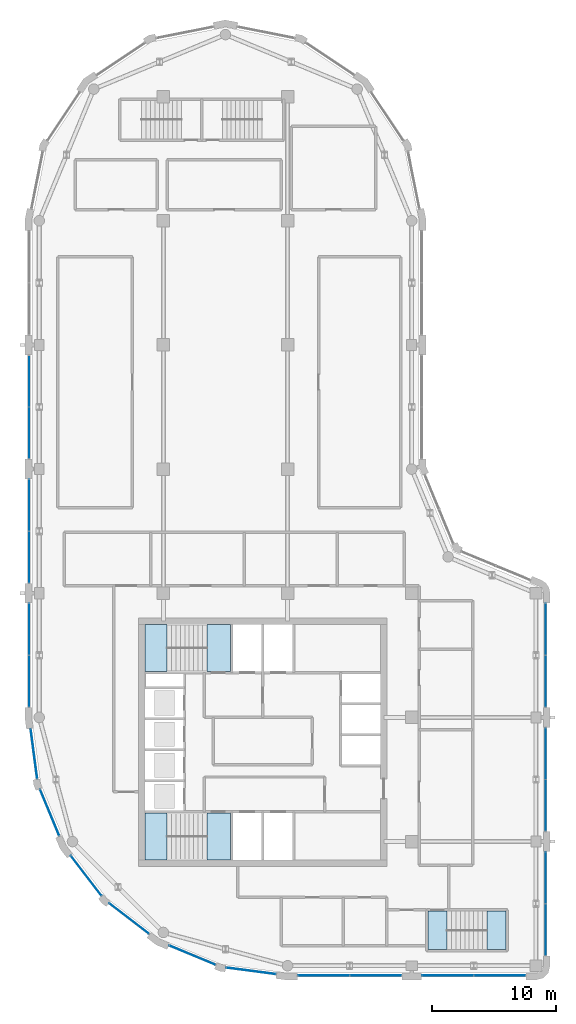
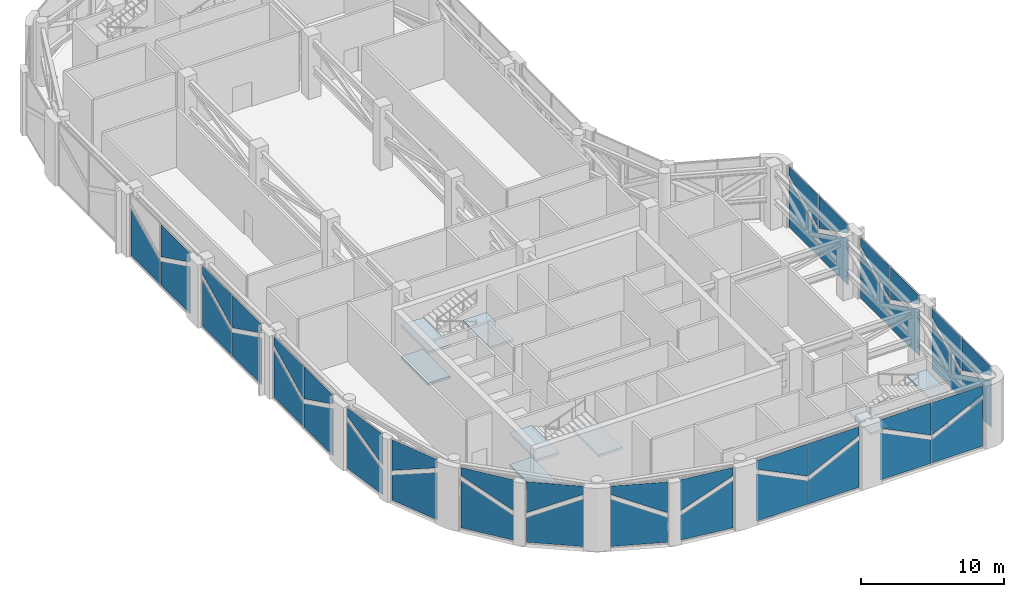
# One storey, part 11 of 18: 43 plates, 9 slabs, 31 elements without a shape of their own.
"""IFC4 building model written with IfcOpenShell, lengths in metres."""

from ifc_helpers import new_model, si_unit, direction, frame, origin, place, context, subcontext, project, spatial, polyline, outline, extrude, material, layer, layer_set, type_object, element, aggregate, save


model = new_model("IFC4")

# Units and contexts
model_context = context("Model", 3, precision=1e-05, world=origin(), true_north=direction((0.0, 1.0)))
body_context = subcontext(model_context, "Body", "Model", "MODEL_VIEW")
ifc_project = project(units=[si_unit("LENGTHUNIT", "METRE"), si_unit("AREAUNIT", "SQUARE_METRE"), si_unit("VOLUMEUNIT", "CUBIC_METRE"), si_unit("PLANEANGLEUNIT", "RADIAN"), si_unit("MASSUNIT", "GRAM", prefix="KILO")], contexts=[model_context])

# Site, building, storey
site_placement = place(None, origin())
site = spatial("IfcSite", under=ifc_project, at=site_placement, CompositionType="ELEMENT")
building_placement = place(site_placement, origin())
building = spatial("IfcBuilding", under=site, at=building_placement, Name="Qaws Garden Tower", CompositionType="ELEMENT")
storey_placement = place(building_placement, frame((0.0, 0.0, 352.800048828125)))
storey = spatial("IfcBuildingStorey", under=building, at=storey_placement, Name="L86", CompositionType="ELEMENT", Elevation=352.800048828125)

# Curtain wall, plate
ifc_material_1 = material(Name="Anodised aluminium curtain wall frame", Category="aluminium")
ifc_layer_1 = layer(ifc_material_1, 0.159912109375)
ifc_layer_set_1 = layer_set([ifc_layer_1], Name="Anodised aluminium curtain wall frame")
curtain_wall_type = type_object("IfcCurtainWallType", Name="CW6 plant floor louvre glazing curtain wall", PredefinedType="NOTDEFINED", material=ifc_layer_set_1)
placement_1 = place(storey_placement, origin())
curtain_wall_1 = element("IfcCurtainWall", 1, at=placement_1, inside=storey, type_object=curtain_wall_type, Name="CW6 Plant floor louvre glazing 00", PredefinedType="NOTDEFINED")
ifc_material_2 = material(Name="Clear laminated glass", Category="glass")
ifc_layer_2 = layer(ifc_material_2, 0.030029296875)
ifc_layer_set_2 = layer_set([ifc_layer_2], Name="Clear laminated glass")
plate_type = type_object("IfcPlateType", Name="CW6 glass panel 30", PredefinedType="CURTAIN_PANEL", material=ifc_layer_set_2)
placement_2 = place(storey_placement, frame((20.800048828125, -0.800048828125, 0.119873046875), z_axis=(0.0, 0.0, 1.0), x_axis=(1.0, 0.0, 0.0)))
plate_1 = element("IfcPlate", 2, at=placement_2, type_object=plate_type, Name="CW6 panel 1.1 part 1", PredefinedType="CURTAIN_PANEL", context=body_context, shape_type="SweptSolid", body=[
    extrude(outline(polyline([(4.169921875, 0.0), (4.169921875, 2.01025390625), (0.06005859375, 4.038818359375), (0.06005859375, 0.0), (4.169921875, 0.0)])), frame((0.0, 0.01513671875, 0.0), z_axis=(0.0, -1.0, 0.0), x_axis=(1.0, 0.0, 0.0)), (0.0, 0.0, 1.0), 0.030029296875),
])

curtain_wall_2 = element("IfcCurtainWall", 3, at=placement_1, inside=storey, type_object=curtain_wall_type, Name="CW6 Plant floor louvre glazing 00 upper field", PredefinedType="NOTDEFINED")
plate_2 = element("IfcPlate", 4, at=placement_2, type_object=plate_type, Name="CW6 panel 1.1 part 2", PredefinedType="CURTAIN_PANEL", context=body_context, shape_type="SweptSolid", body=[
    extrude(outline(polyline([(0.06005859375, 5.16015625), (0.06005859375, 4.440185546875), (4.169921875, 2.41162109375), (4.169921875, 5.16015625), (0.06005859375, 5.16015625)])), frame((0.0, 0.01513671875, 0.0), z_axis=(0.0, -1.0, 0.0), x_axis=(1.0, 0.0, 0.0)), (0.0, 0.0, 1.0), 0.030029296875),
])

# Plate
plate_3 = element("IfcPlate", 5, at=placement_2, type_object=plate_type, Name="CW6 panel 2.1 part 1", PredefinedType="CURTAIN_PANEL", context=body_context, shape_type="SweptSolid", body=[
    extrude(outline(polyline([(8.340087890625, 0.0), (8.340087890625, 4.038818359375), (4.22998046875, 2.01025390625), (4.22998046875, 0.0), (8.340087890625, 0.0)])), frame((0.0, 0.01513671875, 0.0), z_axis=(0.0, -1.0, 0.0), x_axis=(1.0, 0.0, 0.0)), (0.0, 0.0, 1.0), 0.030029296875),
])

aggregate(curtain_wall_1, [plate_1, plate_3])

plate_4 = element("IfcPlate", 6, at=placement_2, type_object=plate_type, Name="CW6 panel 2.1 part 2", PredefinedType="CURTAIN_PANEL", context=body_context, shape_type="SweptSolid", body=[
    extrude(outline(polyline([(4.22998046875, 5.16015625), (4.22998046875, 2.41162109375), (8.340087890625, 4.440185546875), (8.340087890625, 5.16015625), (4.22998046875, 5.16015625)])), frame((0.0, 0.01513671875, 0.0), z_axis=(0.0, -1.0, 0.0), x_axis=(1.0, 0.0, 0.0)), (0.0, 0.0, 1.0), 0.030029296875),
])

aggregate(curtain_wall_2, [plate_2, plate_4])

# Curtain wall, plate
curtain_wall_3 = element("IfcCurtainWall", 7, at=placement_1, inside=storey, type_object=curtain_wall_type, Name="CW6 Plant floor louvre glazing 01", PredefinedType="NOTDEFINED")
placement_3 = place(storey_placement, frame((30.800048828125, -0.800048828125, 0.119873046875), z_axis=(0.0, 0.0, 1.0), x_axis=(1.0, 0.0, 0.0)))
plate_5 = element("IfcPlate", 8, at=placement_3, type_object=plate_type, Name="CW6 panel 1.1 part 1", PredefinedType="CURTAIN_PANEL", context=body_context, shape_type="SweptSolid", body=[
    extrude(outline(polyline([(4.169921875, 0.0), (4.169921875, 2.01025390625), (0.06005859375, 4.038818359375), (0.06005859375, 0.0), (4.169921875, 0.0)])), frame((0.0, 0.01513671875, 0.0), z_axis=(0.0, -1.0, 0.0), x_axis=(1.0, 0.0, 0.0)), (0.0, 0.0, 1.0), 0.030029296875),
])

curtain_wall_4 = element("IfcCurtainWall", 9, at=placement_1, inside=storey, type_object=curtain_wall_type, Name="CW6 Plant floor louvre glazing 01 upper field", PredefinedType="NOTDEFINED")
plate_6 = element("IfcPlate", 10, at=placement_3, type_object=plate_type, Name="CW6 panel 1.1 part 2", PredefinedType="CURTAIN_PANEL", context=body_context, shape_type="SweptSolid", body=[
    extrude(outline(polyline([(0.06005859375, 5.16015625), (0.06005859375, 4.440185546875), (4.169921875, 2.41162109375), (4.169921875, 5.16015625), (0.06005859375, 5.16015625)])), frame((0.0, 0.01513671875, 0.0), z_axis=(0.0, -1.0, 0.0), x_axis=(1.0, 0.0, 0.0)), (0.0, 0.0, 1.0), 0.030029296875),
])

# Plate
plate_7 = element("IfcPlate", 11, at=placement_3, type_object=plate_type, Name="CW6 panel 2.1 part 1", PredefinedType="CURTAIN_PANEL", context=body_context, shape_type="SweptSolid", body=[
    extrude(outline(polyline([(8.340087890625, 0.0), (8.340087890625, 4.038818359375), (4.22998046875, 2.01025390625), (4.22998046875, 0.0), (8.340087890625, 0.0)])), frame((0.0, 0.01513671875, 0.0), z_axis=(0.0, -1.0, 0.0), x_axis=(1.0, 0.0, 0.0)), (0.0, 0.0, 1.0), 0.030029296875),
])

aggregate(curtain_wall_3, [plate_5, plate_7])

plate_8 = element("IfcPlate", 12, at=placement_3, type_object=plate_type, Name="CW6 panel 2.1 part 2", PredefinedType="CURTAIN_PANEL", context=body_context, shape_type="SweptSolid", body=[
    extrude(outline(polyline([(4.22998046875, 5.16015625), (4.22998046875, 2.41162109375), (8.340087890625, 4.440185546875), (8.340087890625, 5.16015625), (4.22998046875, 5.16015625)])), frame((0.0, 0.01513671875, 0.0), z_axis=(0.0, -1.0, 0.0), x_axis=(1.0, 0.0, 0.0)), (0.0, 0.0, 1.0), 0.030029296875),
])

aggregate(curtain_wall_4, [plate_6, plate_8])

# Curtain wall, plate
curtain_wall_5 = element("IfcCurtainWall", 13, at=placement_1, inside=storey, type_object=curtain_wall_type, Name="CW6 Plant floor louvre glazing 02", PredefinedType="NOTDEFINED")
placement_4 = place(storey_placement, frame((40.800048828125, 0.800048828125, 0.119873046875), z_axis=(0.0, 0.0, 1.0), x_axis=(0.0, 1.0, 0.0)))
plate_9 = element("IfcPlate", 14, at=placement_4, type_object=plate_type, Name="CW6 panel 1.1 part 1", PredefinedType="CURTAIN_PANEL", context=body_context, shape_type="SweptSolid", body=[
    extrude(outline(polyline([(4.169921875, 0.0), (4.169921875, 2.01025390625), (0.06005859375, 4.038818359375), (0.06005859375, 0.0), (4.169921875, 0.0)])), frame((0.0, 0.01513671875, 0.0), z_axis=(0.0, -1.0, 0.0), x_axis=(1.0, 0.0, 0.0)), (0.0, 0.0, 1.0), 0.030029296875),
])

curtain_wall_6 = element("IfcCurtainWall", 15, at=placement_1, inside=storey, type_object=curtain_wall_type, Name="CW6 Plant floor louvre glazing 02 upper field", PredefinedType="NOTDEFINED")
plate_10 = element("IfcPlate", 16, at=placement_4, type_object=plate_type, Name="CW6 panel 1.1 part 2", PredefinedType="CURTAIN_PANEL", context=body_context, shape_type="SweptSolid", body=[
    extrude(outline(polyline([(0.06005859375, 5.16015625), (0.06005859375, 4.440185546875), (4.169921875, 2.41162109375), (4.169921875, 5.16015625), (0.06005859375, 5.16015625)])), frame((0.0, 0.01513671875, 0.0), z_axis=(0.0, -1.0, 0.0), x_axis=(1.0, 0.0, 0.0)), (0.0, 0.0, 1.0), 0.030029296875),
])

# Plate
plate_11 = element("IfcPlate", 17, at=placement_4, type_object=plate_type, Name="CW6 panel 2.1 part 1", PredefinedType="CURTAIN_PANEL", context=body_context, shape_type="SweptSolid", body=[
    extrude(outline(polyline([(8.340087890625, 0.0), (8.340087890625, 4.038818359375), (4.22998046875, 2.01025390625), (4.22998046875, 0.0), (8.340087890625, 0.0)])), frame((0.0, 0.01513671875, 0.0), z_axis=(0.0, -1.0, 0.0), x_axis=(1.0, 0.0, 0.0)), (0.0, 0.0, 1.0), 0.030029296875),
])

aggregate(curtain_wall_5, [plate_9, plate_11])

plate_12 = element("IfcPlate", 18, at=placement_4, type_object=plate_type, Name="CW6 panel 2.1 part 2", PredefinedType="CURTAIN_PANEL", context=body_context, shape_type="SweptSolid", body=[
    extrude(outline(polyline([(4.22998046875, 5.16015625), (4.22998046875, 2.41162109375), (8.340087890625, 4.440185546875), (8.340087890625, 5.16015625), (4.22998046875, 5.16015625)])), frame((0.0, 0.01513671875, 0.0), z_axis=(0.0, -1.0, 0.0), x_axis=(1.0, 0.0, 0.0)), (0.0, 0.0, 1.0), 0.030029296875),
])

aggregate(curtain_wall_6, [plate_10, plate_12])

# Curtain wall, plate
curtain_wall_7 = element("IfcCurtainWall", 19, at=placement_1, inside=storey, type_object=curtain_wall_type, Name="CW6 Plant floor louvre glazing 03", PredefinedType="NOTDEFINED")
placement_5 = place(storey_placement, frame((40.800048828125, 10.800048828125, 0.119873046875), z_axis=(0.0, 0.0, 1.0), x_axis=(0.0, 1.0, 0.0)))
plate_13 = element("IfcPlate", 20, at=placement_5, type_object=plate_type, Name="CW6 panel 1.1 part 1", PredefinedType="CURTAIN_PANEL", context=body_context, shape_type="SweptSolid", body=[
    extrude(outline(polyline([(4.169921875, 0.0), (4.169921875, 2.01025390625), (0.06005859375, 4.038818359375), (0.06005859375, 0.0), (4.169921875, 0.0)])), frame((0.0, 0.01513671875, 0.0), z_axis=(0.0, -1.0, 0.0), x_axis=(1.0, 0.0, 0.0)), (0.0, 0.0, 1.0), 0.030029296875),
])

curtain_wall_8 = element("IfcCurtainWall", 21, at=placement_1, inside=storey, type_object=curtain_wall_type, Name="CW6 Plant floor louvre glazing 03 upper field", PredefinedType="NOTDEFINED")
plate_14 = element("IfcPlate", 22, at=placement_5, type_object=plate_type, Name="CW6 panel 1.1 part 2", PredefinedType="CURTAIN_PANEL", context=body_context, shape_type="SweptSolid", body=[
    extrude(outline(polyline([(0.06005859375, 5.16015625), (0.06005859375, 4.440185546875), (4.169921875, 2.41162109375), (4.169921875, 5.16015625), (0.06005859375, 5.16015625)])), frame((0.0, 0.01513671875, 0.0), z_axis=(0.0, -1.0, 0.0), x_axis=(1.0, 0.0, 0.0)), (0.0, 0.0, 1.0), 0.030029296875),
])

# Plate
plate_15 = element("IfcPlate", 23, at=placement_5, type_object=plate_type, Name="CW6 panel 2.1 part 1", PredefinedType="CURTAIN_PANEL", context=body_context, shape_type="SweptSolid", body=[
    extrude(outline(polyline([(8.340087890625, 0.0), (8.340087890625, 4.038818359375), (4.22998046875, 2.01025390625), (4.22998046875, 0.0), (8.340087890625, 0.0)])), frame((0.0, 0.01513671875, 0.0), z_axis=(0.0, -1.0, 0.0), x_axis=(1.0, 0.0, 0.0)), (0.0, 0.0, 1.0), 0.030029296875),
])

aggregate(curtain_wall_7, [plate_13, plate_15])

plate_16 = element("IfcPlate", 24, at=placement_5, type_object=plate_type, Name="CW6 panel 2.1 part 2", PredefinedType="CURTAIN_PANEL", context=body_context, shape_type="SweptSolid", body=[
    extrude(outline(polyline([(4.22998046875, 5.16015625), (4.22998046875, 2.41162109375), (8.340087890625, 4.440185546875), (8.340087890625, 5.16015625), (4.22998046875, 5.16015625)])), frame((0.0, 0.01513671875, 0.0), z_axis=(0.0, -1.0, 0.0), x_axis=(1.0, 0.0, 0.0)), (0.0, 0.0, 1.0), 0.030029296875),
])

aggregate(curtain_wall_8, [plate_14, plate_16])

# Curtain wall, plate
curtain_wall_9 = element("IfcCurtainWall", 25, at=placement_1, inside=storey, type_object=curtain_wall_type, Name="CW6 Plant floor louvre glazing 04", PredefinedType="NOTDEFINED")
placement_6 = place(storey_placement, frame((40.800048828125, 20.800048828125, 0.119873046875), z_axis=(0.0, 0.0, 1.0), x_axis=(0.0, 1.0, 0.0)))
plate_17 = element("IfcPlate", 26, at=placement_6, type_object=plate_type, Name="CW6 panel 1.1 part 1", PredefinedType="CURTAIN_PANEL", context=body_context, shape_type="SweptSolid", body=[
    extrude(outline(polyline([(4.169921875, 0.0), (4.169921875, 2.01025390625), (0.06005859375, 4.038818359375), (0.06005859375, 0.0), (4.169921875, 0.0)])), frame((0.0, 0.01513671875, 0.0), z_axis=(0.0, -1.0, 0.0), x_axis=(1.0, 0.0, 0.0)), (0.0, 0.0, 1.0), 0.030029296875),
])

curtain_wall_10 = element("IfcCurtainWall", 27, at=placement_1, inside=storey, type_object=curtain_wall_type, Name="CW6 Plant floor louvre glazing 04 upper field", PredefinedType="NOTDEFINED")
plate_18 = element("IfcPlate", 28, at=placement_6, type_object=plate_type, Name="CW6 panel 1.1 part 2", PredefinedType="CURTAIN_PANEL", context=body_context, shape_type="SweptSolid", body=[
    extrude(outline(polyline([(0.06005859375, 5.16015625), (0.06005859375, 4.440185546875), (4.169921875, 2.41162109375), (4.169921875, 5.16015625), (0.06005859375, 5.16015625)])), frame((0.0, 0.01513671875, 0.0), z_axis=(0.0, -1.0, 0.0), x_axis=(1.0, 0.0, 0.0)), (0.0, 0.0, 1.0), 0.030029296875),
])

# Plate
plate_19 = element("IfcPlate", 29, at=placement_6, type_object=plate_type, Name="CW6 panel 2.1 part 1", PredefinedType="CURTAIN_PANEL", context=body_context, shape_type="SweptSolid", body=[
    extrude(outline(polyline([(8.340087890625, 0.0), (8.340087890625, 4.038818359375), (4.22998046875, 2.01025390625), (4.22998046875, 0.0), (8.340087890625, 0.0)])), frame((0.0, 0.01513671875, 0.0), z_axis=(0.0, -1.0, 0.0), x_axis=(1.0, 0.0, 0.0)), (0.0, 0.0, 1.0), 0.030029296875),
])

aggregate(curtain_wall_9, [plate_17, plate_19])

plate_20 = element("IfcPlate", 30, at=placement_6, type_object=plate_type, Name="CW6 panel 2.1 part 2", PredefinedType="CURTAIN_PANEL", context=body_context, shape_type="SweptSolid", body=[
    extrude(outline(polyline([(4.22998046875, 5.16015625), (4.22998046875, 2.41162109375), (8.340087890625, 4.440185546875), (8.340087890625, 5.16015625), (4.22998046875, 5.16015625)])), frame((0.0, 0.01513671875, 0.0), z_axis=(0.0, -1.0, 0.0), x_axis=(1.0, 0.0, 0.0)), (0.0, 0.0, 1.0), 0.030029296875),
])

aggregate(curtain_wall_10, [plate_18, plate_20])

# Curtain wall, plates
curtain_wall_11 = element("IfcCurtainWall", 31, at=placement_1, inside=storey, type_object=curtain_wall_type, Name="CW6 Plant floor louvre glazing 18", PredefinedType="NOTDEFINED")
placement_7 = place(storey_placement, frame((-0.800048828125, 49.199951171875, 0.119873046875), z_axis=(0.0, 0.0, 1.0), x_axis=(0.0, -1.0, 0.0)))
plate_21 = element("IfcPlate", 32, at=placement_7, type_object=plate_type, Name="CW6 panel 1.1 part 1", PredefinedType="CURTAIN_PANEL", context=body_context, shape_type="SweptSolid", body=[
    extrude(outline(polyline([(4.169921875, 0.0), (4.169921875, 2.01025390625), (0.06005859375, 4.038818359375), (0.06005859375, 0.0), (4.169921875, 0.0)])), frame((0.0, 0.01513671875, 0.0), z_axis=(0.0, -1.0, 0.0), x_axis=(1.0, 0.0, 0.0)), (0.0, 0.0, 1.0), 0.030029296875),
])
plate_22 = element("IfcPlate", 33, at=placement_7, type_object=plate_type, Name="CW6 panel 2.1 part 1", PredefinedType="CURTAIN_PANEL", context=body_context, shape_type="SweptSolid", body=[
    extrude(outline(polyline([(8.340087890625, 0.0), (8.340087890625, 4.038818359375), (4.22998046875, 2.01025390625), (4.22998046875, 0.0), (8.340087890625, 0.0)])), frame((0.0, 0.01513671875, 0.0), z_axis=(0.0, -1.0, 0.0), x_axis=(1.0, 0.0, 0.0)), (0.0, 0.0, 1.0), 0.030029296875),
])
aggregate(curtain_wall_11, [plate_21, plate_22])

# Curtain wall, plate
curtain_wall_12 = element("IfcCurtainWall", 34, at=placement_1, inside=storey, type_object=curtain_wall_type, Name="CW6 Plant floor louvre glazing 18 upper field", PredefinedType="NOTDEFINED")
plate_23 = element("IfcPlate", 35, at=placement_7, type_object=plate_type, Name="CW6 panel 2.1 part 2", PredefinedType="CURTAIN_PANEL", context=body_context, shape_type="SweptSolid", body=[
    extrude(outline(polyline([(4.22998046875, 5.16015625), (4.22998046875, 2.41162109375), (8.340087890625, 4.440185546875), (8.340087890625, 5.16015625), (4.22998046875, 5.16015625)])), frame((0.0, 0.01513671875, 0.0), z_axis=(0.0, -1.0, 0.0), x_axis=(1.0, 0.0, 0.0)), (0.0, 0.0, 1.0), 0.030029296875),
])
aggregate(curtain_wall_12, [plate_23])

curtain_wall_13 = element("IfcCurtainWall", 36, at=placement_1, inside=storey, type_object=curtain_wall_type, Name="CW6 Plant floor louvre glazing 19", PredefinedType="NOTDEFINED")
placement_8 = place(storey_placement, frame((-0.800048828125, 39.199951171875, 0.119873046875), z_axis=(0.0, 0.0, 1.0), x_axis=(0.0, -1.0, 0.0)))
plate_24 = element("IfcPlate", 37, at=placement_8, type_object=plate_type, Name="CW6 panel 1.1 part 1", PredefinedType="CURTAIN_PANEL", context=body_context, shape_type="SweptSolid", body=[
    extrude(outline(polyline([(4.169921875, 0.0), (4.169921875, 2.01025390625), (0.06005859375, 4.038818359375), (0.06005859375, 0.0), (4.169921875, 0.0)])), frame((0.0, 0.01513671875, 0.0), z_axis=(0.0, -1.0, 0.0), x_axis=(1.0, 0.0, 0.0)), (0.0, 0.0, 1.0), 0.030029296875),
])

curtain_wall_14 = element("IfcCurtainWall", 38, at=placement_1, inside=storey, type_object=curtain_wall_type, Name="CW6 Plant floor louvre glazing 19 upper field", PredefinedType="NOTDEFINED")
plate_25 = element("IfcPlate", 39, at=placement_8, type_object=plate_type, Name="CW6 panel 1.1 part 2", PredefinedType="CURTAIN_PANEL", context=body_context, shape_type="SweptSolid", body=[
    extrude(outline(polyline([(0.06005859375, 5.16015625), (0.06005859375, 4.440185546875), (4.169921875, 2.41162109375), (4.169921875, 5.16015625), (0.06005859375, 5.16015625)])), frame((0.0, 0.01513671875, 0.0), z_axis=(0.0, -1.0, 0.0), x_axis=(1.0, 0.0, 0.0)), (0.0, 0.0, 1.0), 0.030029296875),
])

# Plate
plate_26 = element("IfcPlate", 40, at=placement_8, type_object=plate_type, Name="CW6 panel 2.1 part 1", PredefinedType="CURTAIN_PANEL", context=body_context, shape_type="SweptSolid", body=[
    extrude(outline(polyline([(8.340087890625, 0.0), (8.340087890625, 4.038818359375), (4.22998046875, 2.01025390625), (4.22998046875, 0.0), (8.340087890625, 0.0)])), frame((0.0, 0.01513671875, 0.0), z_axis=(0.0, -1.0, 0.0), x_axis=(1.0, 0.0, 0.0)), (0.0, 0.0, 1.0), 0.030029296875),
])

aggregate(curtain_wall_13, [plate_24, plate_26])

plate_27 = element("IfcPlate", 41, at=placement_8, type_object=plate_type, Name="CW6 panel 2.1 part 2", PredefinedType="CURTAIN_PANEL", context=body_context, shape_type="SweptSolid", body=[
    extrude(outline(polyline([(4.22998046875, 5.16015625), (4.22998046875, 2.41162109375), (8.340087890625, 4.440185546875), (8.340087890625, 5.16015625), (4.22998046875, 5.16015625)])), frame((0.0, 0.01513671875, 0.0), z_axis=(0.0, -1.0, 0.0), x_axis=(1.0, 0.0, 0.0)), (0.0, 0.0, 1.0), 0.030029296875),
])

aggregate(curtain_wall_14, [plate_25, plate_27])

# Curtain wall, plate
curtain_wall_15 = element("IfcCurtainWall", 42, at=placement_1, inside=storey, type_object=curtain_wall_type, Name="CW6 Plant floor louvre glazing 20", PredefinedType="NOTDEFINED")
placement_9 = place(storey_placement, frame((-0.800048828125, 29.199951171875, 0.119873046875), z_axis=(0.0, 0.0, 1.0), x_axis=(0.0, -1.0, 0.0)))
plate_28 = element("IfcPlate", 43, at=placement_9, type_object=plate_type, Name="CW6 panel 1.1 part 1", PredefinedType="CURTAIN_PANEL", context=body_context, shape_type="SweptSolid", body=[
    extrude(outline(polyline([(4.169921875, 0.0), (4.169921875, 2.01025390625), (0.06005859375, 4.038818359375), (0.06005859375, 0.0), (4.169921875, 0.0)])), frame((0.0, 0.01513671875, 0.0), z_axis=(0.0, -1.0, 0.0), x_axis=(1.0, 0.0, 0.0)), (0.0, 0.0, 1.0), 0.030029296875),
])

curtain_wall_16 = element("IfcCurtainWall", 44, at=placement_1, inside=storey, type_object=curtain_wall_type, Name="CW6 Plant floor louvre glazing 20 upper field", PredefinedType="NOTDEFINED")
plate_29 = element("IfcPlate", 45, at=placement_9, type_object=plate_type, Name="CW6 panel 1.1 part 2", PredefinedType="CURTAIN_PANEL", context=body_context, shape_type="SweptSolid", body=[
    extrude(outline(polyline([(0.06005859375, 5.16015625), (0.06005859375, 4.440185546875), (4.169921875, 2.41162109375), (4.169921875, 5.16015625), (0.06005859375, 5.16015625)])), frame((0.0, 0.01513671875, 0.0), z_axis=(0.0, -1.0, 0.0), x_axis=(1.0, 0.0, 0.0)), (0.0, 0.0, 1.0), 0.030029296875),
])

# Plate
plate_30 = element("IfcPlate", 46, at=placement_9, type_object=plate_type, Name="CW6 panel 2.1 part 1", PredefinedType="CURTAIN_PANEL", context=body_context, shape_type="SweptSolid", body=[
    extrude(outline(polyline([(8.340087890625, 0.0), (8.340087890625, 4.038818359375), (4.22998046875, 2.01025390625), (4.22998046875, 0.0), (8.340087890625, 0.0)])), frame((0.0, 0.01513671875, 0.0), z_axis=(0.0, -1.0, 0.0), x_axis=(1.0, 0.0, 0.0)), (0.0, 0.0, 1.0), 0.030029296875),
])

aggregate(curtain_wall_15, [plate_28, plate_30])

plate_31 = element("IfcPlate", 47, at=placement_9, type_object=plate_type, Name="CW6 panel 2.1 part 2", PredefinedType="CURTAIN_PANEL", context=body_context, shape_type="SweptSolid", body=[
    extrude(outline(polyline([(4.22998046875, 5.16015625), (4.22998046875, 2.41162109375), (8.340087890625, 4.440185546875), (8.340087890625, 5.16015625), (4.22998046875, 5.16015625)])), frame((0.0, 0.01513671875, 0.0), z_axis=(0.0, -1.0, 0.0), x_axis=(1.0, 0.0, 0.0)), (0.0, 0.0, 1.0), 0.030029296875),
])

aggregate(curtain_wall_16, [plate_29, plate_31])

# Curtain wall, plate
curtain_wall_17 = element("IfcCurtainWall", 48, at=placement_1, inside=storey, type_object=curtain_wall_type, Name="CW6 Plant floor louvre glazing 21", PredefinedType="NOTDEFINED")
placement_10 = place(storey_placement, frame((-0.688720703125, 19.1025390625, 0.119873046875), z_axis=(0.0, 0.0, 1.0), x_axis=(0.130506614913, -0.991447438579, 0.0)))
plate_32 = element("IfcPlate", 49, at=placement_10, type_object=plate_type, Name="CW6 panel 1.1 part 1", PredefinedType="CURTAIN_PANEL", context=body_context, shape_type="SweptSolid", body=[
    extrude(outline(polyline([(4.06103515625, 0.0), (4.06103515625, 2.126708984375), (0.06005859375, 4.05078125), (0.06005859375, 0.0), (4.06103515625, 0.0)])), frame((0.0, 0.01513671875, 0.0), z_axis=(0.0, -1.0, 0.0), x_axis=(1.0, 0.0, 0.0)), (0.0, 0.0, 1.0), 0.030029296875),
])
aggregate(curtain_wall_17, [plate_32])

curtain_wall_18 = element("IfcCurtainWall", 50, at=placement_1, inside=storey, type_object=curtain_wall_type, Name="CW6 Plant floor louvre glazing 21 upper field", PredefinedType="NOTDEFINED")
plate_33 = element("IfcPlate", 51, at=placement_10, type_object=plate_type, Name="CW6 panel 1.1 part 2", PredefinedType="CURTAIN_PANEL", context=body_context, shape_type="SweptSolid", body=[
    extrude(outline(polyline([(0.06005859375, 5.16015625), (0.06005859375, 4.4501953125), (4.06103515625, 2.526123046875), (4.06103515625, 5.16015625), (0.06005859375, 5.16015625)])), frame((0.0, 0.01513671875, 0.0), z_axis=(0.0, -1.0, 0.0), x_axis=(1.0, 0.0, 0.0)), (0.0, 0.0, 1.0), 0.030029296875),
])
aggregate(curtain_wall_18, [plate_33])

curtain_wall_19 = element("IfcCurtainWall", 52, at=placement_1, inside=storey, type_object=curtain_wall_type, Name="CW6 Plant floor louvre glazing 22", PredefinedType="NOTDEFINED")
placement_11 = place(storey_placement, frame((0.05712890625, 14.240234375, 0.119873046875), z_axis=(0.0, 0.0, 1.0), x_axis=(0.382700599142, -0.923872421613, 0.0)))
plate_34 = element("IfcPlate", 53, at=placement_11, type_object=plate_type, Name="CW6 panel 1.1 part 1", PredefinedType="CURTAIN_PANEL", context=body_context, shape_type="SweptSolid", body=[
    extrude(outline(polyline([(4.06103515625, 0.0), (4.06103515625, 4.05078125), (0.06005859375, 2.126708984375), (0.06005859375, 0.0), (4.06103515625, 0.0)])), frame((0.0, 0.01513671875, 0.0), z_axis=(0.0, -1.0, 0.0), x_axis=(1.0, 0.0, 0.0)), (0.0, 0.0, 1.0), 0.030029296875),
])
aggregate(curtain_wall_19, [plate_34])

curtain_wall_20 = element("IfcCurtainWall", 54, at=placement_1, inside=storey, type_object=curtain_wall_type, Name="CW6 Plant floor louvre glazing 22 upper field", PredefinedType="NOTDEFINED")
plate_35 = element("IfcPlate", 55, at=placement_11, type_object=plate_type, Name="CW6 panel 1.1 part 2", PredefinedType="CURTAIN_PANEL", context=body_context, shape_type="SweptSolid", body=[
    extrude(outline(polyline([(0.06005859375, 5.16015625), (0.06005859375, 2.526123046875), (4.06103515625, 4.4501953125), (4.06103515625, 5.16015625), (0.06005859375, 5.16015625)])), frame((0.0, 0.01513671875, 0.0), z_axis=(0.0, -1.0, 0.0), x_axis=(1.0, 0.0, 0.0)), (0.0, 0.0, 1.0), 0.030029296875),
])
aggregate(curtain_wall_20, [plate_35])

curtain_wall_21 = element("IfcCurtainWall", 56, at=placement_1, inside=storey, type_object=curtain_wall_type, Name="CW6 Plant floor louvre glazing 23", PredefinedType="NOTDEFINED")
placement_12 = place(storey_placement, frame((2.53173828125, 8.87841796875, 0.119873046875), z_axis=(0.0, 0.0, 1.0), x_axis=(0.608759824817, -0.793354571229, 0.0)))
plate_36 = element("IfcPlate", 57, at=placement_12, type_object=plate_type, Name="CW6 panel 1.1 part 1", PredefinedType="CURTAIN_PANEL", context=body_context, shape_type="SweptSolid", body=[
    extrude(outline(polyline([(4.06103515625, 0.0), (4.06103515625, 2.126708984375), (0.06005859375, 4.05078125), (0.06005859375, 0.0), (4.06103515625, 0.0)])), frame((0.0, 0.01513671875, 0.0), z_axis=(0.0, -1.0, 0.0), x_axis=(1.0, 0.0, 0.0)), (0.0, 0.0, 1.0), 0.030029296875),
])
aggregate(curtain_wall_21, [plate_36])

curtain_wall_22 = element("IfcCurtainWall", 58, at=placement_1, inside=storey, type_object=curtain_wall_type, Name="CW6 Plant floor louvre glazing 23 upper field", PredefinedType="NOTDEFINED")
plate_37 = element("IfcPlate", 59, at=placement_12, type_object=plate_type, Name="CW6 panel 1.1 part 2", PredefinedType="CURTAIN_PANEL", context=body_context, shape_type="SweptSolid", body=[
    extrude(outline(polyline([(0.06005859375, 5.16015625), (0.06005859375, 4.4501953125), (4.06103515625, 2.526123046875), (4.06103515625, 5.16015625), (0.06005859375, 5.16015625)])), frame((0.0, 0.01513671875, 0.0), z_axis=(0.0, -1.0, 0.0), x_axis=(1.0, 0.0, 0.0)), (0.0, 0.0, 1.0), 0.030029296875),
])
aggregate(curtain_wall_22, [plate_37])

curtain_wall_23 = element("IfcCurtainWall", 60, at=placement_1, inside=storey, type_object=curtain_wall_type, Name="CW6 Plant floor louvre glazing 24", PredefinedType="NOTDEFINED")
placement_13 = place(storey_placement, frame((5.60888671875, 5.04052734375, 0.119873046875), z_axis=(0.0, 0.0, 1.0), x_axis=(0.793354571229, -0.608759824817, 0.0)))
plate_38 = element("IfcPlate", 61, at=placement_13, type_object=plate_type, Name="CW6 panel 1.1 part 1", PredefinedType="CURTAIN_PANEL", context=body_context, shape_type="SweptSolid", body=[
    extrude(outline(polyline([(4.06103515625, 0.0), (4.06103515625, 4.05078125), (0.06005859375, 2.126708984375), (0.06005859375, 0.0), (4.06103515625, 0.0)])), frame((0.0, 0.01513671875, 0.0), z_axis=(0.0, -1.0, 0.0), x_axis=(1.0, 0.0, 0.0)), (0.0, 0.0, 1.0), 0.030029296875),
])
aggregate(curtain_wall_23, [plate_38])

curtain_wall_24 = element("IfcCurtainWall", 62, at=placement_1, inside=storey, type_object=curtain_wall_type, Name="CW6 Plant floor louvre glazing 24 upper field", PredefinedType="NOTDEFINED")
plate_39 = element("IfcPlate", 63, at=placement_13, type_object=plate_type, Name="CW6 panel 1.1 part 2", PredefinedType="CURTAIN_PANEL", context=body_context, shape_type="SweptSolid", body=[
    extrude(outline(polyline([(0.06005859375, 5.16015625), (0.06005859375, 2.526123046875), (4.06103515625, 4.4501953125), (4.06103515625, 5.16015625), (0.06005859375, 5.16015625)])), frame((0.0, 0.01513671875, 0.0), z_axis=(0.0, -1.0, 0.0), x_axis=(1.0, 0.0, 0.0)), (0.0, 0.0, 1.0), 0.030029296875),
])
aggregate(curtain_wall_24, [plate_39])

curtain_wall_25 = element("IfcCurtainWall", 64, at=placement_1, inside=storey, type_object=curtain_wall_type, Name="CW6 Plant floor louvre glazing 25", PredefinedType="NOTDEFINED")
placement_14 = place(storey_placement, frame((10.432861328125, 1.63427734375, 0.119873046875), z_axis=(0.0, 0.0, 1.0), x_axis=(0.923872421613, -0.382700599142, 0.0)))
plate_40 = element("IfcPlate", 65, at=placement_14, type_object=plate_type, Name="CW6 panel 1.1 part 1", PredefinedType="CURTAIN_PANEL", context=body_context, shape_type="SweptSolid", body=[
    extrude(outline(polyline([(4.06103515625, 0.0), (4.06103515625, 2.126708984375), (0.06005859375, 4.05078125), (0.06005859375, 0.0), (4.06103515625, 0.0)])), frame((0.0, 0.01513671875, 0.0), z_axis=(0.0, -1.0, 0.0), x_axis=(1.0, 0.0, 0.0)), (0.0, 0.0, 1.0), 0.030029296875),
])
aggregate(curtain_wall_25, [plate_40])

curtain_wall_26 = element("IfcCurtainWall", 66, at=placement_1, inside=storey, type_object=curtain_wall_type, Name="CW6 Plant floor louvre glazing 25 upper field", PredefinedType="NOTDEFINED")
plate_41 = element("IfcPlate", 67, at=placement_14, type_object=plate_type, Name="CW6 panel 1.1 part 2", PredefinedType="CURTAIN_PANEL", context=body_context, shape_type="SweptSolid", body=[
    extrude(outline(polyline([(0.06005859375, 5.16015625), (0.06005859375, 4.4501953125), (4.06103515625, 2.526123046875), (4.06103515625, 5.16015625), (0.06005859375, 5.16015625)])), frame((0.0, 0.01513671875, 0.0), z_axis=(0.0, -1.0, 0.0), x_axis=(1.0, 0.0, 0.0)), (0.0, 0.0, 1.0), 0.030029296875),
])
aggregate(curtain_wall_26, [plate_41])

curtain_wall_27 = element("IfcCurtainWall", 68, at=placement_1, inside=storey, type_object=curtain_wall_type, Name="CW6 Plant floor louvre glazing 26", PredefinedType="NOTDEFINED")
placement_15 = place(storey_placement, frame((15.0166015625, -0.15087890625, 0.119873046875), z_axis=(0.0, 0.0, 1.0), x_axis=(0.991447438579, -0.130506614913, 0.0)))
plate_42 = element("IfcPlate", 69, at=placement_15, type_object=plate_type, Name="CW6 panel 1.1 part 1", PredefinedType="CURTAIN_PANEL", context=body_context, shape_type="SweptSolid", body=[
    extrude(outline(polyline([(4.06103515625, 0.0), (4.06103515625, 4.05078125), (0.06005859375, 2.126708984375), (0.06005859375, 0.0), (4.06103515625, 0.0)])), frame((0.0, 0.01513671875, 0.0), z_axis=(0.0, -1.0, 0.0), x_axis=(1.0, 0.0, 0.0)), (0.0, 0.0, 1.0), 0.030029296875),
])
aggregate(curtain_wall_27, [plate_42])

curtain_wall_28 = element("IfcCurtainWall", 70, at=placement_1, inside=storey, type_object=curtain_wall_type, Name="CW6 Plant floor louvre glazing 26 upper field", PredefinedType="NOTDEFINED")
plate_43 = element("IfcPlate", 71, at=placement_15, type_object=plate_type, Name="CW6 panel 1.1 part 2", PredefinedType="CURTAIN_PANEL", context=body_context, shape_type="SweptSolid", body=[
    extrude(outline(polyline([(0.06005859375, 5.16015625), (0.06005859375, 2.526123046875), (4.06103515625, 4.4501953125), (4.06103515625, 5.16015625), (0.06005859375, 5.16015625)])), frame((0.0, 0.01513671875, 0.0), z_axis=(0.0, -1.0, 0.0), x_axis=(1.0, 0.0, 0.0)), (0.0, 0.0, 1.0), 0.030029296875),
])
aggregate(curtain_wall_28, [plate_43])

# Stair, slabs
ifc_material_3 = material(Name="Concrete C40", Category="concrete")
stair_type_1 = type_object("IfcStairType", Name="Exit stair 1500", PredefinedType="HALF_TURN_STAIR", material=ifc_material_3)
stair_1 = element("IfcStair", 72, at=placement_1, inside=storey, type_object=stair_type_1, Name="Stair 1", PredefinedType="HALF_TURN_STAIR")
ifc_material_4 = material(Name="Concrete C40", Category="concrete")
ifc_layer_3 = layer(ifc_material_4, 0.199951171875)
ifc_layer_set_3 = layer_set([ifc_layer_3], Name="Concrete C40")
slab_type = type_object("IfcSlabType", Name="Stair landing 200", PredefinedType="LANDING", material=ifc_layer_set_3)
placement_16 = place(storey_placement, frame((0.0, 0.0, 1.14990234375)))
slab_1 = element("IfcSlab", 73, at=placement_16, type_object=slab_type, Name="ST1 landing 1", PredefinedType="LANDING", context=body_context, shape_type="SweptSolid", body=[
    extrude(outline(polyline([(8.5, 8.5), (10.2958984375, 8.5), (10.2958984375, 12.300048828125), (8.5, 12.300048828125), (8.5, 8.5)])), origin(), (0.0, 0.0, 1.0), 0.199951171875),
])
placement_17 = place(storey_placement, frame((0.0, 0.0, 2.5)))
slab_2 = element("IfcSlab", 74, at=placement_17, type_object=slab_type, Name="ST1 landing 2", PredefinedType="LANDING", context=body_context, shape_type="SweptSolid", body=[
    extrude(outline(polyline([(13.5, 8.5), (15.39990234375, 8.5), (15.39990234375, 12.300048828125), (13.5, 12.300048828125), (13.5, 8.5)])), origin(), (0.0, 0.0, 1.0), 0.199951171875),
])
placement_18 = place(storey_placement, frame((0.0, 0.0, 3.849853515625)))
slab_3 = element("IfcSlab", 75, at=placement_18, type_object=slab_type, Name="ST1 landing 3", PredefinedType="LANDING", context=body_context, shape_type="SweptSolid", body=[
    extrude(outline(polyline([(8.5, 8.5), (10.2958984375, 8.5), (10.2958984375, 12.300048828125), (8.5, 12.300048828125), (8.5, 8.5)])), origin(), (0.0, 0.0, 1.0), 0.2001953125),
])
aggregate(stair_1, [slab_1, slab_2, slab_3])

stair_2 = element("IfcStair", 76, at=placement_1, inside=storey, type_object=stair_type_1, Name="Stair 4", PredefinedType="HALF_TURN_STAIR")
slab_4 = element("IfcSlab", 77, at=placement_16, type_object=slab_type, Name="ST4 landing 1", PredefinedType="LANDING", context=body_context, shape_type="SweptSolid", body=[
    extrude(outline(polyline([(8.5, 23.699951171875), (10.2958984375, 23.699951171875), (10.2958984375, 27.5), (8.5, 27.5), (8.5, 23.699951171875)])), origin(), (0.0, 0.0, 1.0), 0.199951171875),
])
slab_5 = element("IfcSlab", 78, at=placement_17, type_object=slab_type, Name="ST4 landing 2", PredefinedType="LANDING", context=body_context, shape_type="SweptSolid", body=[
    extrude(outline(polyline([(13.5, 23.699951171875), (15.39990234375, 23.699951171875), (15.39990234375, 27.5), (13.5, 27.5), (13.5, 23.699951171875)])), origin(), (0.0, 0.0, 1.0), 0.199951171875),
])
slab_6 = element("IfcSlab", 79, at=placement_18, type_object=slab_type, Name="ST4 landing 3", PredefinedType="LANDING", context=body_context, shape_type="SweptSolid", body=[
    extrude(outline(polyline([(8.5, 23.699951171875), (10.2958984375, 23.699951171875), (10.2958984375, 27.5), (8.5, 27.5), (8.5, 23.699951171875)])), origin(), (0.0, 0.0, 1.0), 0.2001953125),
])
aggregate(stair_2, [slab_4, slab_5, slab_6])

ifc_material_5 = material(Name="Concrete C40", Category="concrete")
stair_type_2 = type_object("IfcStairType", Name="Exit stair 1350", PredefinedType="HALF_TURN_STAIR", material=ifc_material_5)
stair_3 = element("IfcStair", 80, at=placement_1, inside=storey, type_object=stair_type_2, Name="Stair 5", PredefinedType="HALF_TURN_STAIR")
slab_7 = element("IfcSlab", 81, at=placement_16, type_object=slab_type, Name="ST5 landing 1", PredefinedType="LANDING", context=body_context, shape_type="SweptSolid", body=[
    extrude(outline(polyline([(36.053955078125, 1.300048828125), (37.60009765625, 1.300048828125), (37.60009765625, 4.39990234375), (36.053955078125, 4.39990234375), (36.053955078125, 1.300048828125)])), origin(), (0.0, 0.0, 1.0), 0.199951171875),
])
slab_8 = element("IfcSlab", 82, at=placement_17, type_object=slab_type, Name="ST5 landing 2", PredefinedType="LANDING", context=body_context, shape_type="SweptSolid", body=[
    extrude(outline(polyline([(31.300048828125, 1.300048828125), (32.85009765625, 1.300048828125), (32.85009765625, 4.39990234375), (31.300048828125, 4.39990234375), (31.300048828125, 1.300048828125)])), origin(), (0.0, 0.0, 1.0), 0.199951171875),
])
slab_9 = element("IfcSlab", 83, at=placement_18, type_object=slab_type, Name="ST5 landing 3", PredefinedType="LANDING", context=body_context, shape_type="SweptSolid", body=[
    extrude(outline(polyline([(36.053955078125, 1.300048828125), (37.60009765625, 1.300048828125), (37.60009765625, 4.39990234375), (36.053955078125, 4.39990234375), (36.053955078125, 1.300048828125)])), origin(), (0.0, 0.0, 1.0), 0.2001953125),
])
aggregate(stair_3, [slab_7, slab_8, slab_9])

save(model, "model.ifc")
